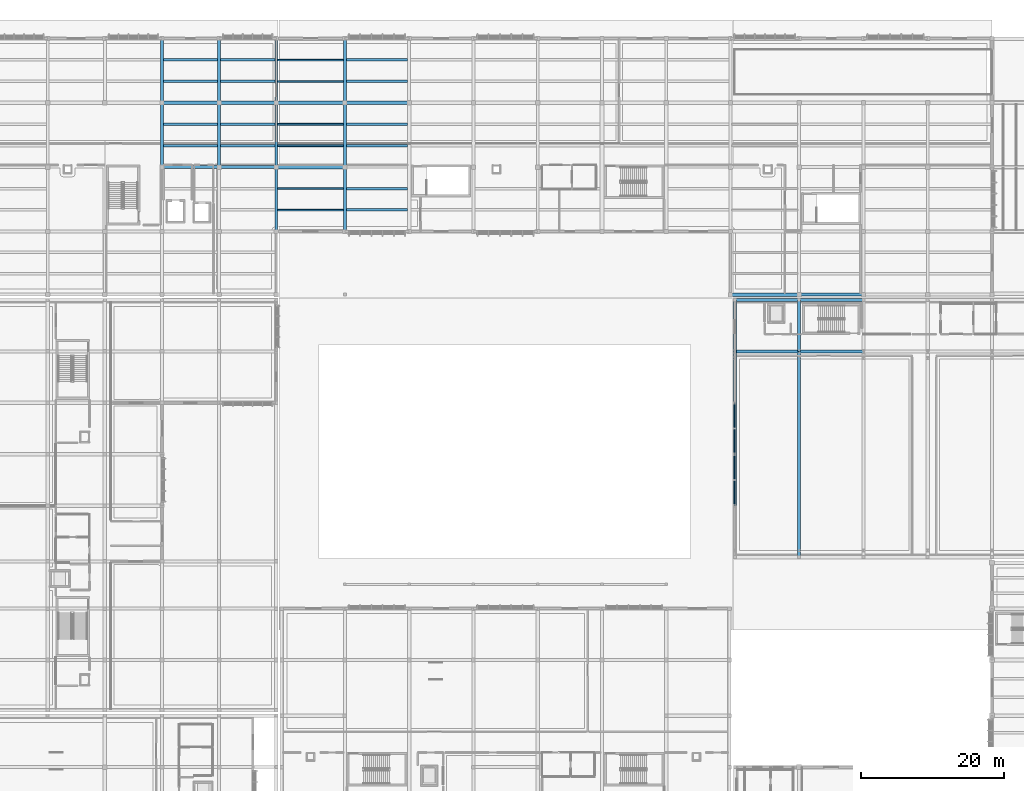
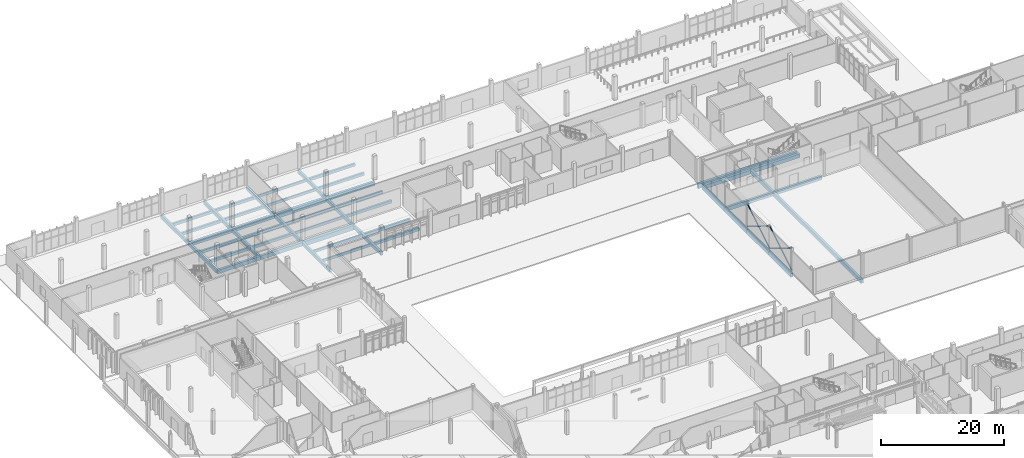
# One storey, part 63 of 151: 49 beams, 6 members.
"""IFC4 building model written with IfcOpenShell, lengths in metres."""

from ifc_helpers import new_model, si_unit, direction, frame, origin, origin_2d, place, context, subcontext, project, spatial, rectangle, hollow_circle, extrude, material, material_profile, profile_set, type_object, element, save


model = new_model("IFC4")

# Units and contexts
model_context = context("Model", 3, precision=1e-05, world=origin(), true_north=direction((0.0, 1.0)))
body_context = subcontext(model_context, "Body", "Model", "MODEL_VIEW")
ifc_project = project(units=[si_unit("LENGTHUNIT", "METRE"), si_unit("AREAUNIT", "SQUARE_METRE"), si_unit("VOLUMEUNIT", "CUBIC_METRE"), si_unit("PLANEANGLEUNIT", "RADIAN"), si_unit("MASSUNIT", "GRAM", prefix="KILO")], contexts=[model_context])

# Site, building, storey
site_placement = place(None, origin())
site = spatial("IfcSite", under=ifc_project, at=site_placement, CompositionType="ELEMENT")
building_placement = place(site_placement, origin())
building = spatial("IfcBuilding", under=site, at=building_placement, Name="Chiffa Square Polytechnic", CompositionType="ELEMENT")
storey_placement = place(building_placement, origin())
storey = spatial("IfcBuildingStorey", under=building, at=storey_placement, Name="L00", CompositionType="ELEMENT", Elevation=0.0)

# Beams
ifc_material_1 = material(Name="Concrete C35/45", Category="concrete")
ifc_material_profile_1 = material_profile(ifc_material_1, rectangle(XDim=0.39990234375, YDim=0.64990234375, at=origin_2d()), Name="RC 400x650")
ifc_profile_set_1 = profile_set([ifc_material_profile_1], Name="Concrete C35/45")
beam_type_1 = type_object("IfcBeamType", Name="BM-RC-400X650", PredefinedType="BEAM", material=ifc_profile_set_1)
for number, where, z_axis, x_axis, name in (
    (1, (32.0, 112.800048828125, -0.675048828125), (0.0, 1.0, 0.0), (-1.0, 0.0, 0.0), "Primary floor girder BM-V5-L00-Y-0320-1128"),
    (2, (32.0, 121.800048828125, -0.675048828125), (0.0, 1.0, 0.0), (-1.0, 0.0, 0.0), "Primary floor girder BM-V5-L00-Y-0320-1218"),
    (3, (40.0, 112.800048828125, -0.675048828125), (0.0, 1.0, 0.0), (-1.0, 0.0, 0.0), "Primary floor girder BM-V5-L00-Y-0400-1128"),
    (4, (40.0, 121.800048828125, -0.675048828125), (0.0, 1.0, 0.0), (-1.0, 0.0, 0.0), "Primary floor girder BM-V5-L00-Y-0400-1218"),
    (5, (48.0, 103.800048828125, -0.675048828125), (0.0, 1.0, 0.0), (-1.0, 0.0, 0.0), "Primary floor girder BM-V5-L00-Y-0480-1038"),
    (6, (48.0, 112.800048828125, -0.675048828125), (0.0, 1.0, 0.0), (-1.0, 0.0, 0.0), "Primary floor girder BM-V5-L00-Y-0480-1128"),
    (7, (48.0, 121.800048828125, -0.675048828125), (0.0, 1.0, 0.0), (-1.0, 0.0, 0.0), "Primary floor girder BM-V5-L00-Y-0480-1218"),
    (8, (57.60009765625, 103.800048828125, -0.675048828125), (0.0, 1.0, 0.0), (-1.0, 0.0, 0.0), "Primary floor girder BM-V5-L00-Y-0576-1038"),
    (9, (57.60009765625, 112.800048828125, -0.675048828125), (0.0, 1.0, 0.0), (-1.0, 0.0, 0.0), "Primary floor girder BM-V5-L00-Y-0576-1128"),
    (10, (57.60009765625, 121.800048828125, -0.675048828125), (0.0, 1.0, 0.0), (-1.0, 0.0, 0.0), "Primary floor girder BM-V5-L00-Y-0576-1218"),
):
    element("IfcBeam", number, at=place(storey_placement, frame(where, z_axis=z_axis, x_axis=x_axis)), inside=storey, type_object=beam_type_1, Name=name, PredefinedType="BEAM", context=body_context, shape_type="SweptSolid", body=[
        extrude(rectangle(XDim=0.39990234375, YDim=0.64990234375, at=origin_2d()), origin(), (0.0, 0.0, 1.0), 9.0),
    ])
ifc_material_profile_2 = material_profile(ifc_material_1, rectangle(XDim=0.449951171875, YDim=0.75, at=origin_2d()), Name="RC 450x750")
ifc_profile_set_2 = profile_set([ifc_material_profile_2], Name="Concrete C35/45")
beam_type_2 = type_object("IfcBeamType", Name="BM-RC-450X750", PredefinedType="BEAM", material=ifc_profile_set_2)
beam_1_placement = place(storey_placement, frame((121.199951171875, 94.949951171875, -0.72509765625), z_axis=(1.0, 0.0, 0.0), x_axis=(0.0, 1.0, 0.0)))
element("IfcBeam", 11, at=beam_1_placement, inside=storey, type_object=beam_type_2, Name="Primary floor girder BM-V5-L00-X-1212-0950", PredefinedType="BEAM", context=body_context, shape_type="SweptSolid", body=[
    extrude(rectangle(XDim=0.449951171875, YDim=0.75, at=origin_2d()), origin(), (0.0, 0.0, 1.0), 9.0),
])
for number, where, z_axis, x_axis, name in (
    (12, (32.0, 112.800048828125, -0.72509765625), (1.0, 0.0, 0.0), (0.0, 1.0, 0.0), "Primary floor girder BM-V5-L00-X-0320-1128"),
    (13, (40.0, 112.800048828125, -0.72509765625), (1.0, 0.0, 0.0), (0.0, 1.0, 0.0), "Primary floor girder BM-V5-L00-X-0400-1128"),
    (14, (32.0, 121.800048828125, -0.72509765625), (1.0, 0.0, 0.0), (0.0, 1.0, 0.0), "Primary floor girder BM-V5-L00-X-0320-1218"),
    (15, (40.0, 121.800048828125, -0.72509765625), (1.0, 0.0, 0.0), (0.0, 1.0, 0.0), "Primary floor girder BM-V5-L00-X-0400-1218"),
):
    element("IfcBeam", number, at=place(storey_placement, frame(where, z_axis=z_axis, x_axis=x_axis)), inside=storey, type_object=beam_type_2, Name=name, PredefinedType="BEAM", context=body_context, shape_type="SweptSolid", body=[
        extrude(rectangle(XDim=0.449951171875, YDim=0.75, at=origin_2d()), origin(), (0.0, 0.0, 1.0), 8.0),
    ])
beam_2_placement = place(storey_placement, frame((57.60009765625, 121.800048828125, -0.72509765625), z_axis=(1.0, 0.0, 0.0), x_axis=(0.0, 1.0, 0.0)))
element("IfcBeam", 16, at=beam_2_placement, inside=storey, type_object=beam_type_2, Name="Primary floor girder BM-V5-L00-X-0576-1218", PredefinedType="BEAM", context=body_context, shape_type="SweptSolid", body=[
    extrude(rectangle(XDim=0.449951171875, YDim=0.75, at=origin_2d()), origin(), (0.0, 0.0, 1.0), 9.0),
])
ifc_material_2 = material(Name="Concrete C40/50", Category="concrete")
ifc_material_profile_3 = material_profile(ifc_material_2, rectangle(XDim=0.5, YDim=0.89990234375, at=origin_2d()), Name="RC 500x900")
ifc_profile_set_3 = profile_set([ifc_material_profile_3], Name="Concrete C40/50")
beam_type_3 = type_object("IfcBeamType", Name="BM-RC-500X900", PredefinedType="BEAM", material=ifc_profile_set_3)
beam_3_placement = place(storey_placement, frame((111.60009765625, 94.949951171875, -0.800048828125), z_axis=(1.0, 0.0, 0.0), x_axis=(0.0, 1.0, 0.0)))
element("IfcBeam", 17, at=beam_3_placement, inside=storey, type_object=beam_type_3, Name="Primary floor girder BM-V5-L00-X-1116-0950", PredefinedType="BEAM", context=body_context, shape_type="SweptSolid", body=[
    extrude(rectangle(XDim=0.5, YDim=0.89990234375, at=origin_2d()), origin(), (0.0, 0.0, 1.0), 9.599853515625),
])
for number, where, z_axis, x_axis, name in (
    (18, (48.0, 112.800048828125, -0.800048828125), (1.0, 0.0, 0.0), (0.0, 1.0, 0.0), "Primary floor girder BM-V5-L00-X-0480-1128"),
    (19, (48.0, 121.800048828125, -0.800048828125), (1.0, 0.0, 0.0), (0.0, 1.0, 0.0), "Primary floor girder BM-V5-L00-X-0480-1218"),
):
    element("IfcBeam", number, at=place(storey_placement, frame(where, z_axis=z_axis, x_axis=x_axis)), inside=storey, type_object=beam_type_3, Name=name, PredefinedType="BEAM", context=body_context, shape_type="SweptSolid", body=[
        extrude(rectangle(XDim=0.5, YDim=0.89990234375, at=origin_2d()), origin(), (0.0, 0.0, 1.0), 9.60009765625),
    ])
ifc_material_profile_4 = material_profile(ifc_material_1, rectangle(XDim=0.449951171875, YDim=0.75, at=origin_2d()), Name="RC 450x750")
ifc_profile_set_4 = profile_set([ifc_material_profile_4], Name="Concrete C35/45")
beam_type_4 = type_object("IfcBeamType", Name="GB-RC-450X750", PredefinedType="BEAM", material=ifc_profile_set_4)
for number, where, z_axis, x_axis, name in (
    (20, (112.199951171875, 87.0, -0.77490234375), (1.0, 0.0, 0.0), (0.0, 1.0, 0.0), "Ground tie beam GB-V2-X-008"),
    (21, (121.199951171875, 87.0, -0.77490234375), (1.0, 0.0, 0.0), (0.0, 1.0, 0.0), "Ground tie beam GB-V2-X-009"),
    (22, (112.199951171875, 94.199951171875, -0.77490234375), (1.0, 0.0, 0.0), (0.0, 1.0, 0.0), "Ground tie beam GB-V2-X-015"),
    (23, (121.199951171875, 94.199951171875, -0.77490234375), (1.0, 0.0, 0.0), (0.0, 1.0, 0.0), "Ground tie beam GB-V2-X-016"),
):
    element("IfcBeam", number, at=place(storey_placement, frame(where, z_axis=z_axis, x_axis=x_axis)), inside=storey, type_object=beam_type_4, Name=name, PredefinedType="BEAM", context=body_context, shape_type="SweptSolid", body=[
        extrude(rectangle(XDim=0.449951171875, YDim=0.75, at=origin_2d()), origin(), (0.0, 0.0, 1.0), 9.0),
    ])
beam_4_placement = place(storey_placement, frame((112.199951171875, 65.39990234375, -0.77490234375), z_axis=(0.0, 1.0, 0.0), x_axis=(-1.0, 0.0, 0.0)))
element("IfcBeam", 24, at=beam_4_placement, inside=storey, type_object=beam_type_4, Name="Ground tie beam GB-V2-Y-023", PredefinedType="BEAM", context=body_context, shape_type="SweptSolid", body=[
    extrude(rectangle(XDim=0.449951171875, YDim=0.75, at=origin_2d()), origin(), (0.0, 0.0, 1.0), 7.2001953125),
])
for number, where, z_axis, x_axis, name in (
    (25, (112.199951171875, 72.60009765625, -0.77490234375), (0.0, 1.0, 0.0), (-1.0, 0.0, 0.0), "Ground tie beam GB-V2-Y-024"),
    (26, (112.199951171875, 79.800048828125, -0.77490234375), (0.0, 1.0, 0.0), (-1.0, 0.0, 0.0), "Ground tie beam GB-V2-Y-025"),
    (27, (112.199951171875, 87.0, -0.77490234375), (0.0, 1.0, 0.0), (-1.0, 0.0, 0.0), "Ground tie beam GB-V2-Y-026"),
):
    element("IfcBeam", number, at=place(storey_placement, frame(where, z_axis=z_axis, x_axis=x_axis)), inside=storey, type_object=beam_type_4, Name=name, PredefinedType="BEAM", context=body_context, shape_type="SweptSolid", body=[
        extrude(rectangle(XDim=0.449951171875, YDim=0.75, at=origin_2d()), origin(), (0.0, 0.0, 1.0), 7.199951171875),
    ])
beam_5_placement = place(storey_placement, frame((121.199951171875, 58.199951171875, -0.77490234375), z_axis=(0.0, 1.0, 0.0), x_axis=(-1.0, 0.0, 0.0)))
element("IfcBeam", 28, at=beam_5_placement, inside=storey, type_object=beam_type_4, Name="Ground tie beam GB-V2-Y-027", PredefinedType="BEAM", context=body_context, shape_type="SweptSolid", body=[
    extrude(rectangle(XDim=0.449951171875, YDim=0.75, at=origin_2d()), origin(), (0.0, 0.0, 1.0), 28.800048828125),
])
beam_6_placement = place(storey_placement, frame((121.199951171875, 87.0, -0.77490234375), z_axis=(0.0, 1.0, 0.0), x_axis=(-1.0, 0.0, 0.0)))
element("IfcBeam", 29, at=beam_6_placement, inside=storey, type_object=beam_type_4, Name="Ground tie beam GB-V2-Y-028", PredefinedType="BEAM", context=body_context, shape_type="SweptSolid", body=[
    extrude(rectangle(XDim=0.449951171875, YDim=0.75, at=origin_2d()), origin(), (0.0, 0.0, 1.0), 7.199951171875),
])
ifc_material_3 = material(Name="Glulam GL28h", Category="wood")
ifc_material_profile_5 = material_profile(ifc_material_3, rectangle(XDim=0.239990234375, YDim=0.52001953125, at=origin_2d()), Name="GL28h 240x520")
ifc_profile_set_5 = profile_set([ifc_material_profile_5], Name="Glulam GL28h")
beam_type_5 = type_object("IfcBeamType", Name="JST-GL-240X520", PredefinedType="JOIST", material=ifc_profile_set_5)
for number, where, z_axis, x_axis, name in (
    (30, (48.197998046875, 106.800048828125, -0.610107421875), (1.0, 0.0, 0.0), (0.0, 1.0, 0.0), "Secondary floor joist JST-V5-L00-0480-1068"),
    (31, (48.197998046875, 109.800048828125, -0.610107421875), (1.0, 0.0, 0.0), (0.0, 1.0, 0.0), "Secondary floor joist JST-V5-L00-0480-1098"),
    (32, (48.197998046875, 115.800048828125, -0.610107421875), (1.0, 0.0, 0.0), (0.0, 1.0, 0.0), "Secondary floor joist JST-V5-L00-0480-1158"),
    (33, (48.197998046875, 118.800048828125, -0.610107421875), (1.0, 0.0, 0.0), (0.0, 1.0, 0.0), "Secondary floor joist JST-V5-L00-0480-1188"),
    (34, (48.197998046875, 124.800048828125, -0.610107421875), (1.0, 0.0, 0.0), (0.0, 1.0, 0.0), "Secondary floor joist JST-V5-L00-0480-1248"),
    (35, (48.197998046875, 127.800048828125, -0.610107421875), (1.0, 0.0, 0.0), (0.0, 1.0, 0.0), "Secondary floor joist JST-V5-L00-0480-1278"),
):
    element("IfcBeam", number, at=place(storey_placement, frame(where, z_axis=z_axis, x_axis=x_axis)), inside=storey, type_object=beam_type_5, Name=name, PredefinedType="JOIST", context=body_context, shape_type="SweptSolid", body=[
        extrude(rectangle(XDim=0.239990234375, YDim=0.52001953125, at=origin_2d()), origin(), (0.0, 0.0, 1.0), 9.2041015625),
    ])
ifc_material_profile_6 = material_profile(ifc_material_1, rectangle(XDim=0.35009765625, YDim=0.550048828125, at=origin_2d()), Name="RC 350x550")
ifc_profile_set_6 = profile_set([ifc_material_profile_6], Name="Concrete C35/45")
beam_type_6 = type_object("IfcBeamType", Name="JST-RC-350X550", PredefinedType="JOIST", material=ifc_profile_set_6)
for number, where, z_axis, x_axis, name in (
    (36, (32.197998046875, 115.800048828125, -0.625), (1.0, 0.0, 0.0), (0.0, 1.0, 0.0), "Secondary floor joist JST-V5-L00-0320-1158"),
    (37, (32.197998046875, 118.800048828125, -0.625), (1.0, 0.0, 0.0), (0.0, 1.0, 0.0), "Secondary floor joist JST-V5-L00-0320-1188"),
    (38, (32.197998046875, 124.800048828125, -0.625), (1.0, 0.0, 0.0), (0.0, 1.0, 0.0), "Secondary floor joist JST-V5-L00-0320-1248"),
    (39, (32.197998046875, 127.800048828125, -0.625), (1.0, 0.0, 0.0), (0.0, 1.0, 0.0), "Secondary floor joist JST-V5-L00-0320-1278"),
    (40, (40.197998046875, 115.800048828125, -0.625), (1.0, 0.0, 0.0), (0.0, 1.0, 0.0), "Secondary floor joist JST-V5-L00-0400-1158"),
    (41, (40.197998046875, 118.800048828125, -0.625), (1.0, 0.0, 0.0), (0.0, 1.0, 0.0), "Secondary floor joist JST-V5-L00-0400-1188"),
    (42, (40.197998046875, 124.800048828125, -0.625), (1.0, 0.0, 0.0), (0.0, 1.0, 0.0), "Secondary floor joist JST-V5-L00-0400-1248"),
    (43, (40.197998046875, 127.800048828125, -0.625), (1.0, 0.0, 0.0), (0.0, 1.0, 0.0), "Secondary floor joist JST-V5-L00-0400-1278"),
):
    element("IfcBeam", number, at=place(storey_placement, frame(where, z_axis=z_axis, x_axis=x_axis)), inside=storey, type_object=beam_type_6, Name=name, PredefinedType="JOIST", context=body_context, shape_type="SweptSolid", body=[
        extrude(rectangle(XDim=0.35009765625, YDim=0.550048828125, at=origin_2d()), origin(), (0.0, 0.0, 1.0), 7.60400390625),
    ])
for number, where, z_axis, x_axis, name in (
    (44, (57.798095703125, 106.800048828125, -0.625), (1.0, 0.0, 0.0), (0.0, 1.0, 0.0), "Secondary floor joist JST-V5-L00-0576-1068"),
    (45, (57.798095703125, 109.800048828125, -0.625), (1.0, 0.0, 0.0), (0.0, 1.0, 0.0), "Secondary floor joist JST-V5-L00-0576-1098"),
    (46, (57.798095703125, 115.800048828125, -0.625), (1.0, 0.0, 0.0), (0.0, 1.0, 0.0), "Secondary floor joist JST-V5-L00-0576-1158"),
    (47, (57.798095703125, 118.800048828125, -0.625), (1.0, 0.0, 0.0), (0.0, 1.0, 0.0), "Secondary floor joist JST-V5-L00-0576-1188"),
):
    element("IfcBeam", number, at=place(storey_placement, frame(where, z_axis=z_axis, x_axis=x_axis)), inside=storey, type_object=beam_type_6, Name=name, PredefinedType="JOIST", context=body_context, shape_type="SweptSolid", body=[
        extrude(rectangle(XDim=0.35009765625, YDim=0.550048828125, at=origin_2d()), origin(), (0.0, 0.0, 1.0), 8.553955078125),
    ])
for number, where, z_axis, x_axis, name in (
    (48, (57.798095703125, 124.800048828125, -0.625), (1.0, 0.0, 0.0), (0.0, 1.0, 0.0), "Secondary floor joist JST-V5-L00-0576-1248"),
    (49, (57.798095703125, 127.800048828125, -0.625), (1.0, 0.0, 0.0), (0.0, 1.0, 0.0), "Secondary floor joist JST-V5-L00-0576-1278"),
):
    element("IfcBeam", number, at=place(storey_placement, frame(where, z_axis=z_axis, x_axis=x_axis)), inside=storey, type_object=beam_type_6, Name=name, PredefinedType="JOIST", context=body_context, shape_type="SweptSolid", body=[
        extrude(rectangle(XDim=0.35009765625, YDim=0.550048828125, at=origin_2d()), origin(), (0.0, 0.0, 1.0), 8.60400390625),
    ])

# Members
ifc_material_4 = material(Name="Steel S355", Category="steel")
ifc_material_profile_7 = material_profile(ifc_material_4, hollow_circle(Radius=0.109619140625, WallThickness=0.010009765625, at=origin_2d()), Name="CHS 219.1x10")
ifc_profile_set_7 = profile_set([ifc_material_profile_7], Name="Steel S355")
member_type = type_object("IfcMemberType", Name="MEM-BRC-CHS219", PredefinedType="BRACE", material=ifc_profile_set_7)
member_1_placement = place(storey_placement, frame((112.199951171875, 65.39990234375, 0.199951171875), z_axis=(0.0, 0.853280403273, 0.521452350067), x_axis=(-1.0, 0.0, 0.0)))
element("IfcMember", 50, at=member_1_placement, inside=storey, type_object=member_type, Name="Workshop continuous wall X-brace BR-V2-WL-L00-1A", PredefinedType="BRACE", context=body_context, shape_type="SweptSolid", body=[
    extrude(hollow_circle(Radius=0.109619140625, WallThickness=0.010009765625, at=origin_2d()), origin(), (0.0, 0.0, 1.0), 8.438232421875),
])
member_2_placement = place(storey_placement, frame((112.199951171875, 65.39990234375, 4.60009765625), z_axis=(0.0, 0.853267529787, -0.521473415057), x_axis=(-1.0, 0.0, 0.0)))
element("IfcMember", 51, at=member_2_placement, inside=storey, type_object=member_type, Name="Workshop split wall X-brace segment BR-V2-WL-L00-1B1", PredefinedType="BRACE", context=body_context, shape_type="SweptSolid", body=[
    extrude(hollow_circle(Radius=0.109619140625, WallThickness=0.010009765625, at=origin_2d()), origin(), (0.0, 0.0, 1.0), 4.21923828125),
])
member_3_placement = place(storey_placement, frame((112.199951171875, 69.0, 2.39990234375), z_axis=(0.0, 0.853293276627, -0.521431284124), x_axis=(-1.0, 0.0, 0.0)))
element("IfcMember", 52, at=member_3_placement, inside=storey, type_object=member_type, Name="Workshop split wall X-brace segment BR-V2-WL-L00-1B2", PredefinedType="BRACE", context=body_context, shape_type="SweptSolid", body=[
    extrude(hollow_circle(Radius=0.109619140625, WallThickness=0.010009765625, at=origin_2d()), origin(), (0.0, 0.0, 1.0), 4.218994140625),
])
member_4_placement = place(storey_placement, frame((112.199951171875, 72.60009765625, 0.199951171875), z_axis=(0.0, 0.853272535843, 0.521465223746), x_axis=(-1.0, 0.0, 0.0)))
element("IfcMember", 53, at=member_4_placement, inside=storey, type_object=member_type, Name="Workshop continuous wall X-brace BR-V2-WL-L00-2A", PredefinedType="BRACE", context=body_context, shape_type="SweptSolid", body=[
    extrude(hollow_circle(Radius=0.109619140625, WallThickness=0.010009765625, at=origin_2d()), origin(), (0.0, 0.0, 1.0), 8.43798828125),
])
for number, where, z_axis, x_axis, name in (
    (54, (112.199951171875, 72.60009765625, 4.60009765625), (0.0, 0.85325179331, -0.521499163195), (-1.0, 0.0, 0.0), "Workshop split wall X-brace segment BR-V2-WL-L00-2B1"),
    (55, (112.199951171875, 76.199951171875, 2.39990234375), (0.0, 0.853293276627, -0.521431284124), (-1.0, 0.0, 0.0), "Workshop split wall X-brace segment BR-V2-WL-L00-2B2"),
):
    element("IfcMember", number, at=place(storey_placement, frame(where, z_axis=z_axis, x_axis=x_axis)), inside=storey, type_object=member_type, Name=name, PredefinedType="BRACE", context=body_context, shape_type="SweptSolid", body=[
        extrude(hollow_circle(Radius=0.109619140625, WallThickness=0.010009765625, at=origin_2d()), origin(), (0.0, 0.0, 1.0), 4.218994140625),
    ])

save(model, "model.ifc")
